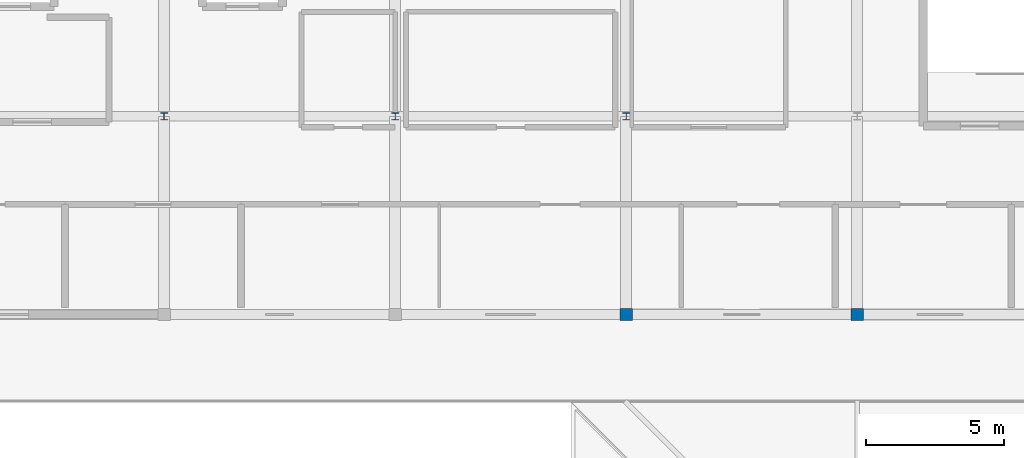
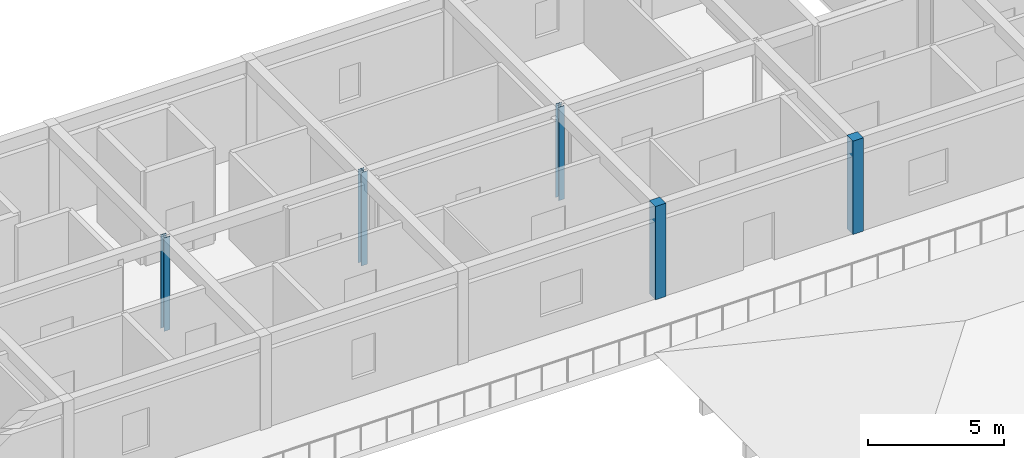
# One storey, part 6 of 22: 5 columns.
"""IFC4 building model written with IfcOpenShell, lengths in metres."""

from ifc_helpers import new_model, si_unit, direction, frame, origin, origin_2d, place, context, subcontext, project, spatial, rectangle, i_section, extrude, material, material_profile, profile_set, type_object, element, save


model = new_model("IFC4")

# Units and contexts
model_context = context("Model", 3, precision=1e-05, world=origin(), true_north=direction((0.0, 1.0)))
body_context = subcontext(model_context, "Body", "Model", "MODEL_VIEW")
ifc_project = project(units=[si_unit("LENGTHUNIT", "METRE"), si_unit("AREAUNIT", "SQUARE_METRE"), si_unit("VOLUMEUNIT", "CUBIC_METRE"), si_unit("PLANEANGLEUNIT", "RADIAN"), si_unit("MASSUNIT", "GRAM", prefix="KILO")], contexts=[model_context])

# Site, building, storey
site_placement = place(None, origin())
site = spatial("IfcSite", under=ifc_project, at=site_placement, CompositionType="ELEMENT")
building_placement = place(site_placement, origin())
building = spatial("IfcBuilding", under=site, at=building_placement, Name="Varncliffe General Hospital", CompositionType="ELEMENT")
storey_placement = place(building_placement, frame((0.0, 0.0, 33.0)))
storey = spatial("IfcBuildingStorey", under=building, at=storey_placement, Name="L07", CompositionType="ELEMENT", Elevation=33.0)

# Columns
ifc_material_1 = material(Name="Concrete C40/50 (CSA A23.1 40 MPa)", Category="concrete")
ifc_material_profile_1 = material_profile(ifc_material_1, rectangle(XDim=0.449951171875, YDim=0.449951171875, at=origin_2d()), Name="RC 450x450")
ifc_profile_set_1 = profile_set([ifc_material_profile_1], Name="Concrete C40/50 (CSA A23.1 40 MPa)")
column_type_1 = type_object("IfcColumnType", Name="Column C73 (Ext RC 450x450)", PredefinedType="COLUMN", material=ifc_profile_set_1)
for number, where, z_axis, x_axis, name in (
    (1, (151.199951171875, 109.199951171875, 0.0), (0.0, 0.0, 1.0), (1.0, 0.0, 0.0), "L07 Column C73"),
    (2, (159.60009765625, 109.199951171875, 0.0), (0.0, 0.0, 1.0), (1.0, 0.0, 0.0), "L07 Column C73"),
):
    element("IfcColumn", number, at=place(storey_placement, frame(where, z_axis=z_axis, x_axis=x_axis)), inside=storey, type_object=column_type_1, Name=name, PredefinedType="COLUMN", context=body_context, shape_type="SweptSolid", body=[
        extrude(rectangle(XDim=0.449951171875, YDim=0.449951171875, at=origin_2d()), origin(), (0.0, 0.0, 1.0), 4.199951171875),
    ])
ifc_material_2 = material(Name="Steel S355 (CSA G40.21 350W)", Category="steel")
ifc_material_profile_2 = material_profile(ifc_material_2, i_section(OverallWidth=0.25390625, OverallDepth=0.2529296875, WebThickness=0.008544921875, FlangeThickness=0.01416015625, FilletRadius=0.012939453125, at=origin_2d()), Name="W250x73")
ifc_profile_set_2 = profile_set([ifc_material_profile_2], Name="Steel S355 (CSA G40.21 350W)")
column_type_2 = type_object("IfcColumnType", Name="Column C75 (Int W250x73)", PredefinedType="COLUMN", material=ifc_profile_set_2)
for number, where, z_axis, x_axis, name in (
    (3, (134.39990234375, 116.39990234375, 0.0), (0.0, 0.0, 1.0), (1.0, 0.0, 0.0), "L07 Column C75"),
    (4, (142.800048828125, 116.39990234375, 0.0), (0.0, 0.0, 1.0), (1.0, 0.0, 0.0), "L07 Column C75"),
    (5, (151.199951171875, 116.39990234375, 0.0), (0.0, 0.0, 1.0), (1.0, 0.0, 0.0), "L07 Column C75"),
):
    element("IfcColumn", number, at=place(storey_placement, frame(where, z_axis=z_axis, x_axis=x_axis)), inside=storey, type_object=column_type_2, Name=name, PredefinedType="COLUMN", context=body_context, shape_type="SweptSolid", body=[
        extrude(i_section(OverallWidth=0.25390625, OverallDepth=0.2529296875, WebThickness=0.008544921875, FlangeThickness=0.01416015625, FilletRadius=0.012939453125, at=origin_2d()), origin(), (0.0, 0.0, 1.0), 4.199951171875),
    ])

save(model, "model.ifc")
